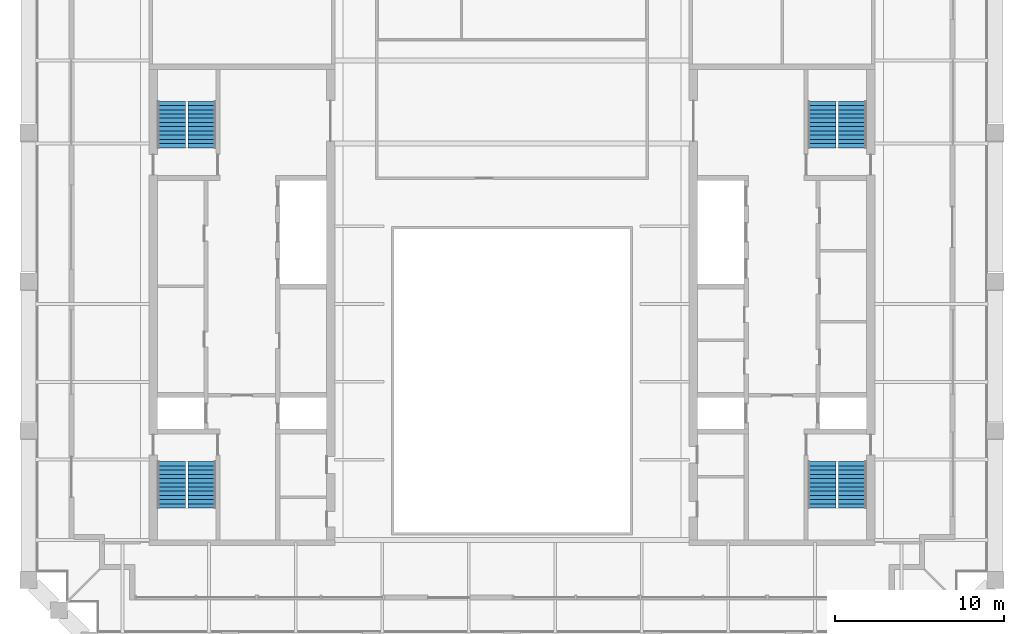
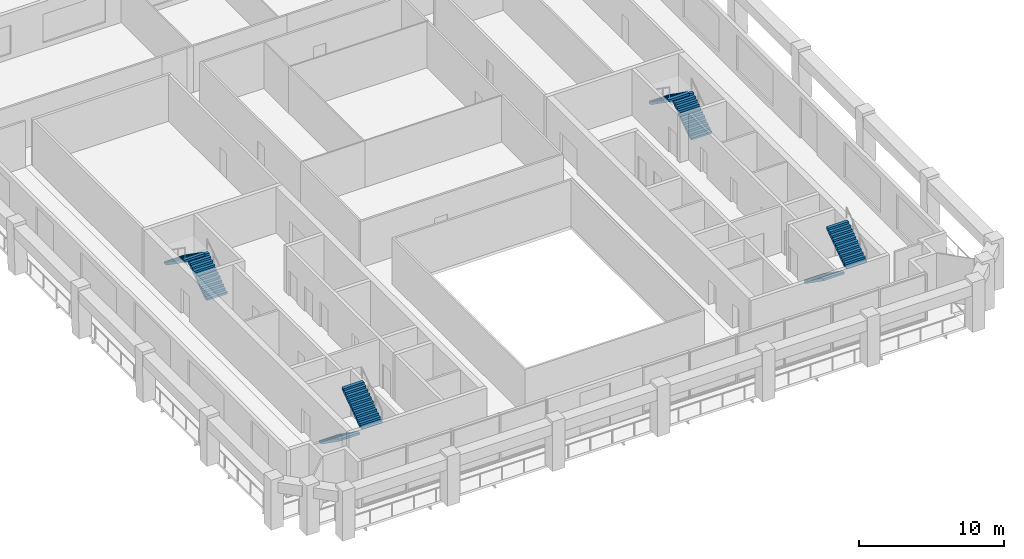
# One storey, part 9 of 10: 8 stair flights, 4 elements without a shape of their own.
"""IFC4 building model written with IfcOpenShell, lengths in metres."""

from ifc_helpers import new_model, si_unit, direction, frame, origin, place, context, subcontext, project, spatial, polyline, outline, extrude, material, type_object, element, aggregate, save


model = new_model("IFC4")

# Units and contexts
model_context = context("Model", 3, precision=1e-05, world=origin(), true_north=direction((0.0, 1.0)))
body_context = subcontext(model_context, "Body", "Model", "MODEL_VIEW")
ifc_project = project(units=[si_unit("LENGTHUNIT", "METRE"), si_unit("AREAUNIT", "SQUARE_METRE"), si_unit("VOLUMEUNIT", "CUBIC_METRE"), si_unit("PLANEANGLEUNIT", "RADIAN"), si_unit("MASSUNIT", "GRAM", prefix="KILO")], contexts=[model_context])

# Site, building, storey
site_placement = place(None, origin())
site = spatial("IfcSite", under=ifc_project, at=site_placement, CompositionType="ELEMENT")
building_placement = place(site_placement, origin())
building = spatial("IfcBuilding", under=site, at=building_placement, Name="Ogive Exchange Tower", CompositionType="ELEMENT")
storey_placement = place(building_placement, frame((0.0, 0.0, 359.39990234375)))
storey = spatial("IfcBuildingStorey", under=building, at=storey_placement, Name="L79", CompositionType="ELEMENT", Elevation=359.39990234375)

# Stair, stair flights
ifc_material = material(Name="Concrete C40/50", Category="concrete")
stair_type = type_object("IfcStairType", Name="Exit stair 1650 wide", PredefinedType="HALF_TURN_STAIR", material=ifc_material)
stair_1_placement = place(storey_placement, origin())
stair_1 = element("IfcStair", 1, at=stair_1_placement, inside=storey, type_object=stair_type, Name="L79 exit stair ST1", PredefinedType="HALF_TURN_STAIR")
stair_flight_type = type_object("IfcStairFlightType", Name="Stair flight 1650 wide", PredefinedType="STRAIGHT", material=ifc_material)
stair_flight_1_placement = place(storey_placement, frame((-20.175048828125, 2.199951171875, 0.0), z_axis=(0.0, 0.0, 1.0), x_axis=(0.0, -1.0, 0.0)))
stair_flight_1 = element("IfcStairFlight", 2, at=stair_flight_1_placement, type_object=stair_flight_type, Name="ST1 flight 1", NumberOfRisers=12, NumberOfTreads=11, PredefinedType="STRAIGHT", RiserHeight=0.175, TreadLength=0.25, context=body_context, shape_type="SweptSolid", body=[
    extrude(outline(polyline([(0.0, 0.0), (0.0, 0.175048828125), (0.25, 0.175048828125), (0.25, 0.35009765625), (0.5, 0.35009765625), (0.5, 0.52490234375), (0.75, 0.52490234375), (0.75, 0.699951171875), (1.0, 0.699951171875), (1.0, 0.875), (1.25, 0.875), (1.25, 1.050048828125), (1.5, 1.050048828125), (1.5, 1.22509765625), (1.75, 1.22509765625), (1.75, 1.39990234375), (2.0, 1.39990234375), (2.0, 1.574951171875), (2.25, 1.574951171875), (2.25, 1.75), (2.5, 1.75), (2.5, 1.925048828125), (2.75, 1.925048828125), (2.75, 2.10009765625), (2.75, 1.741943359375), (0.261474609375, 0.0), (0.0, 0.0)])), frame((0.0, 0.824951171875, 0.0), z_axis=(0.0, -1.0, 0.0), x_axis=(1.0, 0.0, 0.0)), (0.0, 0.0, 1.0), 1.64990234375),
])
stair_flight_2_placement = place(storey_placement, frame((-18.375, -0.550048828125, 2.10009765625), z_axis=(0.0, 0.0, 1.0), x_axis=(0.0, 1.0, 0.0)))
stair_flight_2 = element("IfcStairFlight", 3, at=stair_flight_2_placement, type_object=stair_flight_type, Name="ST1 flight 2", NumberOfRisers=12, NumberOfTreads=11, PredefinedType="STRAIGHT", RiserHeight=0.175, TreadLength=0.25, context=body_context, shape_type="SweptSolid", body=[
    extrude(outline(polyline([(0.0, 0.0), (0.0, 0.175048828125), (0.25, 0.175048828125), (0.25, 0.35009765625), (0.5, 0.35009765625), (0.5, 0.52490234375), (0.75, 0.52490234375), (0.75, 0.699951171875), (1.0, 0.699951171875), (1.0, 0.875), (1.25, 0.875), (1.25, 1.050048828125), (1.5, 1.050048828125), (1.5, 1.22509765625), (1.75, 1.22509765625), (1.75, 1.39990234375), (2.0, 1.39990234375), (2.0, 1.574951171875), (2.25, 1.574951171875), (2.25, 1.75), (2.5, 1.75), (2.5, 1.925048828125), (2.75, 1.925048828125), (2.75, 2.10009765625), (2.75, 1.741943359375), (0.261474609375, 0.0), (0.0, 0.0)])), frame((0.0, 0.824951171875, 0.0), z_axis=(0.0, -1.0, 0.0), x_axis=(1.0, 0.0, 0.0)), (0.0, 0.0, 1.0), 1.64990234375),
])
aggregate(stair_1, [stair_flight_1, stair_flight_2])

stair_2_placement = place(storey_placement, origin())
stair_2 = element("IfcStair", 4, at=stair_2_placement, inside=storey, type_object=stair_type, Name="L79 exit stair ST2", PredefinedType="HALF_TURN_STAIR")
stair_flight_3_placement = place(storey_placement, frame((-18.375, 20.800048828125, 0.0), z_axis=(0.0, 0.0, 1.0), x_axis=(0.0, 1.0, 0.0)))
stair_flight_3 = element("IfcStairFlight", 5, at=stair_flight_3_placement, type_object=stair_flight_type, Name="ST2 flight 1", NumberOfRisers=12, NumberOfTreads=11, PredefinedType="STRAIGHT", RiserHeight=0.175, TreadLength=0.25, context=body_context, shape_type="SweptSolid", body=[
    extrude(outline(polyline([(0.0, 0.0), (0.0, 0.175048828125), (0.25, 0.175048828125), (0.25, 0.35009765625), (0.5, 0.35009765625), (0.5, 0.52490234375), (0.75, 0.52490234375), (0.75, 0.699951171875), (1.0, 0.699951171875), (1.0, 0.875), (1.25, 0.875), (1.25, 1.050048828125), (1.5, 1.050048828125), (1.5, 1.22509765625), (1.75, 1.22509765625), (1.75, 1.39990234375), (2.0, 1.39990234375), (2.0, 1.574951171875), (2.25, 1.574951171875), (2.25, 1.75), (2.5, 1.75), (2.5, 1.925048828125), (2.75, 1.925048828125), (2.75, 2.10009765625), (2.75, 1.741943359375), (0.261474609375, 0.0), (0.0, 0.0)])), frame((0.0, 0.824951171875, 0.0), z_axis=(0.0, -1.0, 0.0), x_axis=(1.0, 0.0, 0.0)), (0.0, 0.0, 1.0), 1.64990234375),
])
stair_flight_4_placement = place(storey_placement, frame((-20.175048828125, 23.550048828125, 2.10009765625), z_axis=(0.0, 0.0, 1.0), x_axis=(0.0, -1.0, 0.0)))
stair_flight_4 = element("IfcStairFlight", 6, at=stair_flight_4_placement, type_object=stair_flight_type, Name="ST2 flight 2", NumberOfRisers=12, NumberOfTreads=11, PredefinedType="STRAIGHT", RiserHeight=0.175, TreadLength=0.25, context=body_context, shape_type="SweptSolid", body=[
    extrude(outline(polyline([(0.0, 0.0), (0.0, 0.175048828125), (0.25, 0.175048828125), (0.25, 0.35009765625), (0.5, 0.35009765625), (0.5, 0.52490234375), (0.75, 0.52490234375), (0.75, 0.699951171875), (1.0, 0.699951171875), (1.0, 0.875), (1.25, 0.875), (1.25, 1.050048828125), (1.5, 1.050048828125), (1.5, 1.22509765625), (1.75, 1.22509765625), (1.75, 1.39990234375), (2.0, 1.39990234375), (2.0, 1.574951171875), (2.25, 1.574951171875), (2.25, 1.75), (2.5, 1.75), (2.5, 1.925048828125), (2.75, 1.925048828125), (2.75, 2.10009765625), (2.75, 1.741943359375), (0.261474609375, 0.0), (0.0, 0.0)])), frame((0.0, 0.824951171875, 0.0), z_axis=(0.0, -1.0, 0.0), x_axis=(1.0, 0.0, 0.0)), (0.0, 0.0, 1.0), 1.64990234375),
])
aggregate(stair_2, [stair_flight_3, stair_flight_4])

stair_3_placement = place(storey_placement, origin())
stair_3 = element("IfcStair", 7, at=stair_3_placement, inside=storey, type_object=stair_type, Name="L79 exit stair ST3", PredefinedType="HALF_TURN_STAIR")
stair_flight_5_placement = place(storey_placement, frame((18.375, 2.199951171875, 0.0), z_axis=(0.0, 0.0, 1.0), x_axis=(0.0, -1.0, 0.0)))
stair_flight_5 = element("IfcStairFlight", 8, at=stair_flight_5_placement, type_object=stair_flight_type, Name="ST3 flight 1", NumberOfRisers=12, NumberOfTreads=11, PredefinedType="STRAIGHT", RiserHeight=0.175, TreadLength=0.25, context=body_context, shape_type="SweptSolid", body=[
    extrude(outline(polyline([(0.0, 0.0), (0.0, 0.175048828125), (0.25, 0.175048828125), (0.25, 0.35009765625), (0.5, 0.35009765625), (0.5, 0.52490234375), (0.75, 0.52490234375), (0.75, 0.699951171875), (1.0, 0.699951171875), (1.0, 0.875), (1.25, 0.875), (1.25, 1.050048828125), (1.5, 1.050048828125), (1.5, 1.22509765625), (1.75, 1.22509765625), (1.75, 1.39990234375), (2.0, 1.39990234375), (2.0, 1.574951171875), (2.25, 1.574951171875), (2.25, 1.75), (2.5, 1.75), (2.5, 1.925048828125), (2.75, 1.925048828125), (2.75, 2.10009765625), (2.75, 1.741943359375), (0.261474609375, 0.0), (0.0, 0.0)])), frame((0.0, 0.824951171875, 0.0), z_axis=(0.0, -1.0, 0.0), x_axis=(1.0, 0.0, 0.0)), (0.0, 0.0, 1.0), 1.64990234375),
])
stair_flight_6_placement = place(storey_placement, frame((20.175048828125, -0.550048828125, 2.10009765625), z_axis=(0.0, 0.0, 1.0), x_axis=(0.0, 1.0, 0.0)))
stair_flight_6 = element("IfcStairFlight", 9, at=stair_flight_6_placement, type_object=stair_flight_type, Name="ST3 flight 2", NumberOfRisers=12, NumberOfTreads=11, PredefinedType="STRAIGHT", RiserHeight=0.175, TreadLength=0.25, context=body_context, shape_type="SweptSolid", body=[
    extrude(outline(polyline([(0.0, 0.0), (0.0, 0.175048828125), (0.25, 0.175048828125), (0.25, 0.35009765625), (0.5, 0.35009765625), (0.5, 0.52490234375), (0.75, 0.52490234375), (0.75, 0.699951171875), (1.0, 0.699951171875), (1.0, 0.875), (1.25, 0.875), (1.25, 1.050048828125), (1.5, 1.050048828125), (1.5, 1.22509765625), (1.75, 1.22509765625), (1.75, 1.39990234375), (2.0, 1.39990234375), (2.0, 1.574951171875), (2.25, 1.574951171875), (2.25, 1.75), (2.5, 1.75), (2.5, 1.925048828125), (2.75, 1.925048828125), (2.75, 2.10009765625), (2.75, 1.741943359375), (0.261474609375, 0.0), (0.0, 0.0)])), frame((0.0, 0.824951171875, 0.0), z_axis=(0.0, -1.0, 0.0), x_axis=(1.0, 0.0, 0.0)), (0.0, 0.0, 1.0), 1.64990234375),
])
aggregate(stair_3, [stair_flight_5, stair_flight_6])

stair_4_placement = place(storey_placement, origin())
stair_4 = element("IfcStair", 10, at=stair_4_placement, inside=storey, type_object=stair_type, Name="L79 exit stair ST4", PredefinedType="HALF_TURN_STAIR")
stair_flight_7_placement = place(storey_placement, frame((20.175048828125, 20.800048828125, 0.0), z_axis=(0.0, 0.0, 1.0), x_axis=(0.0, 1.0, 0.0)))
stair_flight_7 = element("IfcStairFlight", 11, at=stair_flight_7_placement, type_object=stair_flight_type, Name="ST4 flight 1", NumberOfRisers=12, NumberOfTreads=11, PredefinedType="STRAIGHT", RiserHeight=0.175, TreadLength=0.25, context=body_context, shape_type="SweptSolid", body=[
    extrude(outline(polyline([(0.0, 0.0), (0.0, 0.175048828125), (0.25, 0.175048828125), (0.25, 0.35009765625), (0.5, 0.35009765625), (0.5, 0.52490234375), (0.75, 0.52490234375), (0.75, 0.699951171875), (1.0, 0.699951171875), (1.0, 0.875), (1.25, 0.875), (1.25, 1.050048828125), (1.5, 1.050048828125), (1.5, 1.22509765625), (1.75, 1.22509765625), (1.75, 1.39990234375), (2.0, 1.39990234375), (2.0, 1.574951171875), (2.25, 1.574951171875), (2.25, 1.75), (2.5, 1.75), (2.5, 1.925048828125), (2.75, 1.925048828125), (2.75, 2.10009765625), (2.75, 1.741943359375), (0.261474609375, 0.0), (0.0, 0.0)])), frame((0.0, 0.824951171875, 0.0), z_axis=(0.0, -1.0, 0.0), x_axis=(1.0, 0.0, 0.0)), (0.0, 0.0, 1.0), 1.64990234375),
])
stair_flight_8_placement = place(storey_placement, frame((18.375, 23.550048828125, 2.10009765625), z_axis=(0.0, 0.0, 1.0), x_axis=(0.0, -1.0, 0.0)))
stair_flight_8 = element("IfcStairFlight", 12, at=stair_flight_8_placement, type_object=stair_flight_type, Name="ST4 flight 2", NumberOfRisers=12, NumberOfTreads=11, PredefinedType="STRAIGHT", RiserHeight=0.175, TreadLength=0.25, context=body_context, shape_type="SweptSolid", body=[
    extrude(outline(polyline([(0.0, 0.0), (0.0, 0.175048828125), (0.25, 0.175048828125), (0.25, 0.35009765625), (0.5, 0.35009765625), (0.5, 0.52490234375), (0.75, 0.52490234375), (0.75, 0.699951171875), (1.0, 0.699951171875), (1.0, 0.875), (1.25, 0.875), (1.25, 1.050048828125), (1.5, 1.050048828125), (1.5, 1.22509765625), (1.75, 1.22509765625), (1.75, 1.39990234375), (2.0, 1.39990234375), (2.0, 1.574951171875), (2.25, 1.574951171875), (2.25, 1.75), (2.5, 1.75), (2.5, 1.925048828125), (2.75, 1.925048828125), (2.75, 2.10009765625), (2.75, 1.741943359375), (0.261474609375, 0.0), (0.0, 0.0)])), frame((0.0, 0.824951171875, 0.0), z_axis=(0.0, -1.0, 0.0), x_axis=(1.0, 0.0, 0.0)), (0.0, 0.0, 1.0), 1.64990234375),
])
aggregate(stair_4, [stair_flight_7, stair_flight_8])

save(model, "model.ifc")
